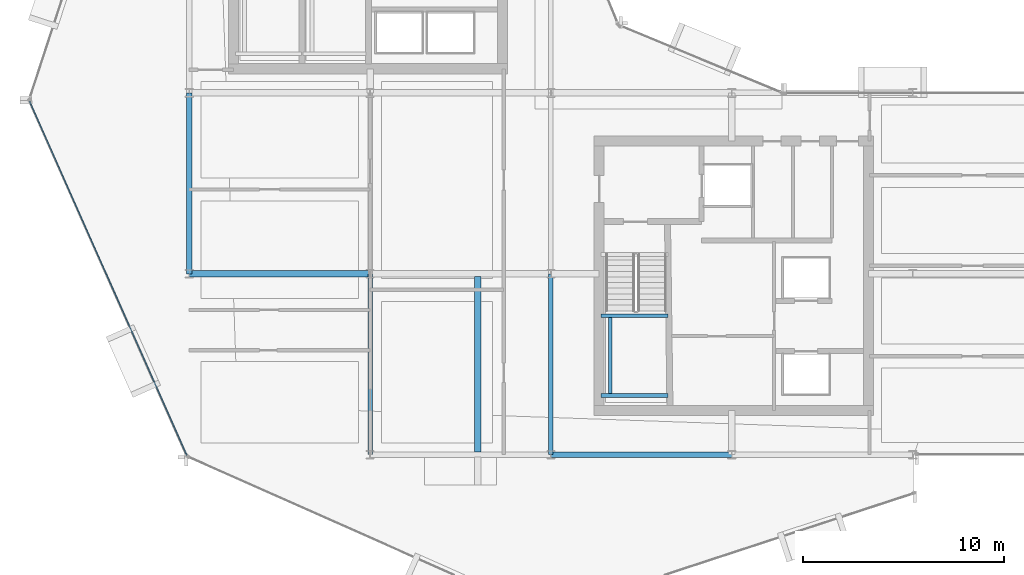
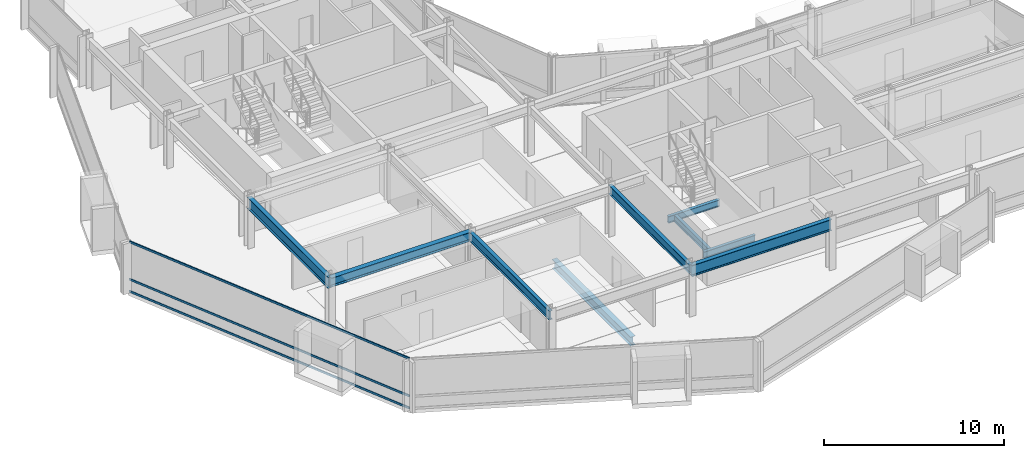
# One storey, part 5 of 29: 9 beams, 3 members, 1 element without a shape of its own.
"""IFC4 building model written with IfcOpenShell, lengths in metres."""

from ifc_helpers import new_model, si_unit, direction, frame, origin, origin_2d, place, context, subcontext, project, spatial, hollow_rectangle, i_section, extrude, material, layer, layer_set, material_profile, profile_set, type_object, element, aggregate, save


model = new_model("IFC4")

# Units and contexts
model_context = context("Model", 3, precision=1e-05, world=origin(), true_north=direction((0.0, 1.0)))
body_context = subcontext(model_context, "Body", "Model", "MODEL_VIEW")
ifc_project = project(units=[si_unit("LENGTHUNIT", "METRE"), si_unit("AREAUNIT", "SQUARE_METRE"), si_unit("VOLUMEUNIT", "CUBIC_METRE"), si_unit("PLANEANGLEUNIT", "RADIAN"), si_unit("MASSUNIT", "GRAM", prefix="KILO")], contexts=[model_context])

# Site, building, storey
site_placement = place(None, origin())
site = spatial("IfcSite", under=ifc_project, at=site_placement, CompositionType="ELEMENT")
building_placement = place(site_placement, origin())
building = spatial("IfcBuilding", under=site, at=building_placement, Name="Solvaryn Broadcast Tower", CompositionType="ELEMENT")
storey_placement = place(building_placement, frame((0.0, 0.0, 139.60009765625)))
storey = spatial("IfcBuildingStorey", under=building, at=storey_placement, Name="L34", CompositionType="ELEMENT", Elevation=139.60009765625)

# Beams
ifc_material_1 = material(Name="Steel ASTM A992 Grade 50", Category="steel")
ifc_material_profile_1 = material_profile(ifc_material_1, i_section(OverallWidth=0.323974609375, OverallDepth=0.611083984375, WebThickness=0.0126953125, FlangeThickness=0.01904296875, FilletRadius=0.014892578125, at=origin_2d()))
ifc_profile_set_1 = profile_set([ifc_material_profile_1], Name="Steel ASTM A992 Grade 50")
beam_type_1 = type_object("IfcBeamType", Name="BM-B1-W24X104", PredefinedType="BEAM", material=ifc_profile_set_1)
beam_1_placement = place(storey_placement, frame((23.35009765625, 17.875, -0.585693359375), z_axis=(0.0, -1.0, 0.0), x_axis=(1.0, 0.0, 0.0)))
element("IfcBeam", 1, at=beam_1_placement, inside=storey, type_object=beam_type_1, Name="L34 Bay-Box Back-Span Beam 1", PredefinedType="BEAM", context=body_context, shape_type="SweptSolid", body=[
    extrude(i_section(OverallWidth=0.323974609375, OverallDepth=0.611083984375, WebThickness=0.0126953125, FlangeThickness=0.01904296875, FilletRadius=0.014892578125, at=origin_2d()), origin(), (0.0, 0.0, 1.0), 8.75),
])
beam_2_placement = place(storey_placement, frame((9.0, 18.0, 3.114501953125), z_axis=(1.0, 0.0, 0.0), x_axis=(0.0, 1.0, 0.0)))
element("IfcBeam", 2, at=beam_2_placement, inside=storey, type_object=beam_type_1, Name="L34 Primary Beam X (9-18 @ Y=18)", PredefinedType="BEAM", context=body_context, shape_type="SweptSolid", body=[
    extrude(i_section(OverallWidth=0.323974609375, OverallDepth=0.611083984375, WebThickness=0.0126953125, FlangeThickness=0.01904296875, FilletRadius=0.014892578125, at=origin_2d()), origin(), (0.0, 0.0, 1.0), 9.0),
])
ifc_material_2 = material(Name="Steel ASTM A992 Grade 50", Category="steel")
ifc_material_profile_2 = material_profile(ifc_material_2, i_section(OverallWidth=0.22802734375, OverallDepth=0.60791015625, WebThickness=0.01123046875, FlangeThickness=0.017333984375, FilletRadius=0.014892578125, at=origin_2d()))
ifc_profile_set_2 = profile_set([ifc_material_profile_2], Name="Steel ASTM A992 Grade 50")
beam_type_2 = type_object("IfcBeamType", Name="BM-B2-W24X76", PredefinedType="BEAM", material=ifc_profile_set_2)
for number, where, z_axis, x_axis, name in (
    (3, (18.0, 9.0, 3.115966796875), (0.0, 1.0, 0.0), (-1.0, 0.0, 0.0), "L34 Primary Beam Y (9-18 @ X=18)"),
    (4, (27.0, 9.0, 3.115966796875), (0.0, 1.0, 0.0), (-1.0, 0.0, 0.0), "L34 Primary Beam Y (9-18 @ X=27)"),
):
    element("IfcBeam", number, at=place(storey_placement, frame(where, z_axis=z_axis, x_axis=x_axis)), inside=storey, type_object=beam_type_2, Name=name, PredefinedType="BEAM", context=body_context, shape_type="SweptSolid", body=[
        extrude(i_section(OverallWidth=0.22802734375, OverallDepth=0.60791015625, WebThickness=0.01123046875, FlangeThickness=0.017333984375, FilletRadius=0.014892578125, at=origin_2d()), origin(), (0.0, 0.0, 1.0), 9.0),
    ])
ifc_material_3 = material(Name="Steel ASTM A992 Grade 50", Category="steel")
ifc_material_profile_3 = material_profile(ifc_material_3, i_section(OverallWidth=0.18994140625, OverallDepth=0.45703125, WebThickness=0.009033203125, FlangeThickness=0.014404296875, FilletRadius=0.011962890625, at=origin_2d()))
ifc_profile_set_3 = profile_set([ifc_material_profile_3], Name="Steel ASTM A992 Grade 50")
beam_type_3 = type_object("IfcBeamType", Name="BM-B4-W18X50", PredefinedType="BEAM", material=ifc_profile_set_3)
for number, where, z_axis, x_axis, name in (
    (5, (29.5, 11.949951171875, 1.42138671875), (1.0, 0.0, 0.0), (0.0, 1.0, 0.0), "L34 ST3 Landing Support Beam 1A"),
    (6, (29.5, 15.909912109375, 1.42138671875), (1.0, 0.0, 0.0), (0.0, 1.0, 0.0), "L34 ST3 Landing Support Beam 1B"),
):
    element("IfcBeam", number, at=place(storey_placement, frame(where, z_axis=z_axis, x_axis=x_axis)), inside=storey, type_object=beam_type_3, Name=name, PredefinedType="BEAM", context=body_context, shape_type="SweptSolid", body=[
        extrude(i_section(OverallWidth=0.18994140625, OverallDepth=0.45703125, WebThickness=0.009033203125, FlangeThickness=0.014404296875, FilletRadius=0.011962890625, at=origin_2d()), origin(), (0.0, 0.0, 1.0), 3.320068359375),
    ])
beam_3_placement = place(storey_placement, frame((29.949951171875, 11.949951171875, 1.42138671875), z_axis=(0.0, 1.0, 0.0), x_axis=(-1.0, 0.0, 0.0)))
element("IfcBeam", 7, at=beam_3_placement, inside=storey, type_object=beam_type_3, Name="L34 ST3 Landing Cross Stringer 1C", PredefinedType="BEAM", context=body_context, shape_type="SweptSolid", body=[
    extrude(i_section(OverallWidth=0.18994140625, OverallDepth=0.45703125, WebThickness=0.009033203125, FlangeThickness=0.014404296875, FilletRadius=0.011962890625, at=origin_2d()), origin(), (0.0, 0.0, 1.0), 3.9599609375),
])
ifc_material_4 = material(Name="Steel ASTM A992 Grade 50", Category="steel")
ifc_material_profile_4 = material_profile(ifc_material_4, i_section(OverallWidth=0.26708984375, OverallDepth=0.76611328125, WebThickness=0.014892578125, FlangeThickness=0.023681640625, FilletRadius=0.01806640625, at=origin_2d()))
ifc_profile_set_4 = profile_set([ifc_material_profile_4], Name="Steel ASTM A992 Grade 50")
beam_type_4 = type_object("IfcBeamType", Name="BM-SP2-W30X124", PredefinedType="USERDEFINED", material=ifc_profile_set_4)
for number, where, z_axis, x_axis, name in (
    (8, (27.0, 9.0, 3.036865234375), (1.0, 0.0, 0.0), (0.0, 1.0, 0.0), "L34 Spandrel Beam X (27-36 @ Y=9)"),
    (9, (9.0, 18.0, 3.036865234375), (0.0, 1.0, 0.0), (-1.0, 0.0, 0.0), "L34 Spandrel Beam Y (18-27 @ X=9)"),
):
    element("IfcBeam", number, at=place(storey_placement, frame(where, z_axis=z_axis, x_axis=x_axis)), inside=storey, type_object=beam_type_4, Name=name, ObjectType="SPANDREL", PredefinedType="USERDEFINED", context=body_context, shape_type="SweptSolid", body=[
        extrude(i_section(OverallWidth=0.26708984375, OverallDepth=0.76611328125, WebThickness=0.014892578125, FlangeThickness=0.023681640625, FilletRadius=0.01806640625, at=origin_2d()), origin(), (0.0, 0.0, 1.0), 9.0),
    ])

# Curtain wall, members
ifc_material_5 = material(Name="Aluminium and Terracotta Unitised Curtain Wall", Category="masonry")
ifc_layer = layer(ifc_material_5, 0.239990234375)
ifc_layer_set = layer_set([ifc_layer], Name="CW-SYS3-BAYBOX")
curtain_wall_type = type_object("IfcCurtainWallType", Name="CW-SYS3-BAYBOX", PredefinedType="NOTDEFINED", material=ifc_layer_set)
curtain_wall_placement = place(storey_placement, origin())
curtain_wall = element("IfcCurtainWall", 10, at=curtain_wall_placement, inside=storey, type_object=curtain_wall_type, Name="L34 Curtain Wall DR2", PredefinedType="NOTDEFINED")
ifc_material_6 = material(Name="Anodised Aluminium 6063-T6", Category="aluminium")
ifc_material_profile_5 = material_profile(ifc_material_6, hollow_rectangle(XDim=0.06494140625, YDim=0.14990234375, WallThickness=0.00390625, InnerFilletRadius=0.00390625, OuterFilletRadius=0.008056640625, at=origin_2d()))
ifc_profile_set_5 = profile_set([ifc_material_profile_5], Name="Anodised Aluminium 6063-T6")
member_type = type_object("IfcMemberType", Name="CW-TRN-150", PredefinedType="USERDEFINED", material=ifc_profile_set_5)
member_1_placement = place(storey_placement, frame((1.058349609375, 26.5810546875, 0.02978515625), z_axis=(0.405917546252, -0.913909703223, 0.0), x_axis=(0.913909703223, 0.405917546252, 0.0)))
member_1 = element("IfcMember", 11, at=member_1_placement, type_object=member_type, Name="CWS3 transom 1.1", ObjectType="TRANSOM", PredefinedType="USERDEFINED", context=body_context, shape_type="SweptSolid", body=[
    extrude(hollow_rectangle(XDim=0.06494140625, YDim=0.14990234375, WallThickness=0.00390625, InnerFilletRadius=0.00390625, OuterFilletRadius=0.008056640625, at=origin_2d()), origin(), (0.0, 0.0, 1.0), 19.27783203125),
])
member_2_placement = place(storey_placement, frame((1.058349609375, 26.5810546875, 0.849853515625), z_axis=(0.405917546252, -0.913909703223, 0.0), x_axis=(0.913909703223, 0.405917546252, 0.0)))
member_2 = element("IfcMember", 12, at=member_2_placement, type_object=member_type, Name="CWS3 transom 1.2", ObjectType="TRANSOM", PredefinedType="USERDEFINED", context=body_context, shape_type="SweptSolid", body=[
    extrude(hollow_rectangle(XDim=0.06494140625, YDim=0.14990234375, WallThickness=0.00390625, InnerFilletRadius=0.00390625, OuterFilletRadius=0.008056640625, at=origin_2d()), origin(), (0.0, 0.0, 1.0), 19.27783203125),
])
member_3_placement = place(storey_placement, frame((1.058349609375, 26.5810546875, 3.389892578125), z_axis=(0.405917546252, -0.913909703223, 0.0), x_axis=(0.913909703223, 0.405917546252, 0.0)))
member_3 = element("IfcMember", 13, at=member_3_placement, type_object=member_type, Name="CWS3 transom 1.3", ObjectType="TRANSOM", PredefinedType="USERDEFINED", context=body_context, shape_type="SweptSolid", body=[
    extrude(hollow_rectangle(XDim=0.06494140625, YDim=0.14990234375, WallThickness=0.00390625, InnerFilletRadius=0.00390625, OuterFilletRadius=0.008056640625, at=origin_2d()), origin(), (0.0, 0.0, 1.0), 19.27783203125),
])
aggregate(curtain_wall, [member_1, member_2, member_3])

save(model, "model.ifc")
